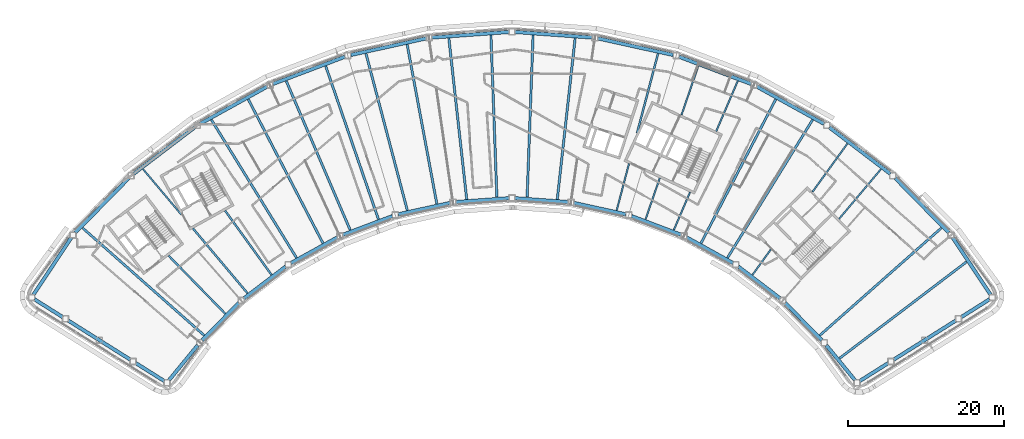
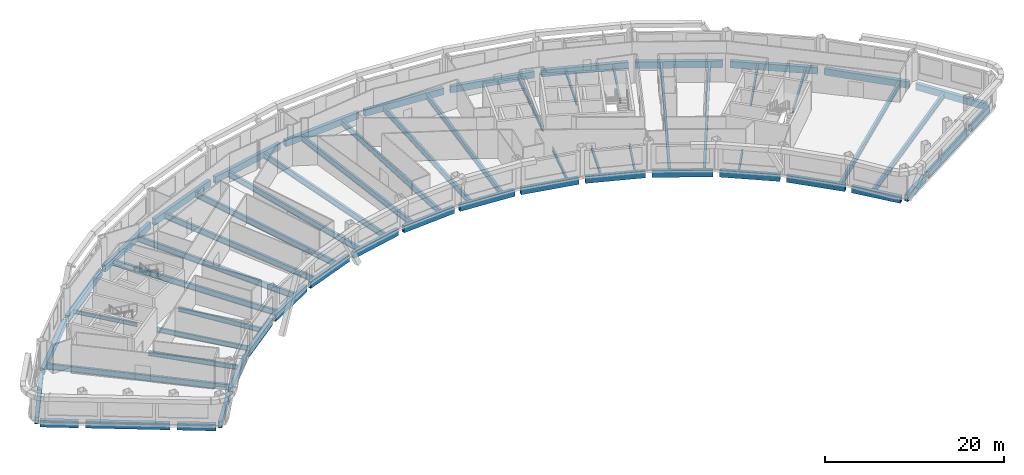
# One storey, part 3 of 16: 62 beams.
"""IFC4 building model written with IfcOpenShell, lengths in metres."""

from ifc_helpers import new_model, si_unit, direction, frame, origin, origin_2d, place, context, subcontext, project, spatial, hollow_rectangle, i_section, extrude, material, material_profile, profile_set, type_object, element, save


model = new_model("IFC4")

# Units and contexts
model_context = context("Model", 3, precision=1e-05, world=origin(), true_north=direction((0.0, 1.0)))
body_context = subcontext(model_context, "Body", "Model", "MODEL_VIEW")
ifc_project = project(units=[si_unit("LENGTHUNIT", "METRE"), si_unit("AREAUNIT", "SQUARE_METRE"), si_unit("VOLUMEUNIT", "CUBIC_METRE"), si_unit("PLANEANGLEUNIT", "RADIAN"), si_unit("MASSUNIT", "GRAM", prefix="KILO")], contexts=[model_context])

# Site, building, storey
site_placement = place(None, origin())
site = spatial("IfcSite", under=ifc_project, at=site_placement, CompositionType="ELEMENT")
building_placement = place(site_placement, origin())
building = spatial("IfcBuilding", under=site, at=building_placement, Name="Tuul Gate Civic Tower", CompositionType="ELEMENT")
storey_placement = place(building_placement, frame((0.0, 0.0, 261.0)))
storey = spatial("IfcBuildingStorey", under=building, at=storey_placement, Name="Level 59", CompositionType="ELEMENT", Elevation=261.0)

# Beams
ifc_material_1 = material(Name="Steel S355", Category="steel")
ifc_material_profile_1 = material_profile(ifc_material_1, i_section(OverallWidth=0.199951171875, OverallDepth=0.5, WebThickness=0.010009765625, FlangeThickness=0.01611328125, at=origin_2d()), Name="PG500x200x10x16")
ifc_profile_set_1 = profile_set([ifc_material_profile_1], Name="Steel S355")
beam_type_1 = type_object("IfcBeamType", Name="STR-FLOOR BEAM-PG500x200x10x16", PredefinedType="BEAM", material=ifc_profile_set_1)
beam_1_placement = place(storey_placement, frame((53.012939453125, -10.570068359375, -0.550048828125), z_axis=(0.644124963716, 0.764920277622, 0.0), x_axis=(-0.764920277622, 0.644124963716, 0.0)))
element("IfcBeam", 1, at=beam_1_placement, inside=storey, type_object=beam_type_1, Name="Floor beam", PredefinedType="BEAM", context=body_context, shape_type="SweptSolid", body=[
    extrude(i_section(OverallWidth=0.199951171875, OverallDepth=0.5, WebThickness=0.010009765625, FlangeThickness=0.01611328125, at=origin_2d()), origin(), (0.0, 0.0, 1.0), 8.367431640625),
])
beam_2_placement = place(storey_placement, frame((41.900390625, -17.74755859375, -0.550048828125), z_axis=(0.58608498793, 0.810249583106, 0.0), x_axis=(-0.810249583106, 0.58608498793, 0.0)))
element("IfcBeam", 2, at=beam_2_placement, inside=storey, type_object=beam_type_1, Name="Floor beam", PredefinedType="BEAM", context=body_context, shape_type="SweptSolid", body=[
    extrude(i_section(OverallWidth=0.199951171875, OverallDepth=0.5, WebThickness=0.010009765625, FlangeThickness=0.01611328125, at=origin_2d()), origin(), (0.0, 0.0, 1.0), 4.017822265625),
])
beam_3_placement = place(storey_placement, frame((49.606201171875, -7.094482421875, -0.550048828125), z_axis=(0.586082829809, 0.810251144154, 0.0), x_axis=(-0.810251144154, 0.586082829809, 0.0)))
element("IfcBeam", 3, at=beam_3_placement, inside=storey, type_object=beam_type_1, Name="Floor beam", PredefinedType="BEAM", context=body_context, shape_type="SweptSolid", body=[
    extrude(i_section(OverallWidth=0.199951171875, OverallDepth=0.5, WebThickness=0.010009765625, FlangeThickness=0.01611328125, at=origin_2d()), origin(), (0.0, 0.0, 1.0), 7.658447265625),
])
beam_4_placement = place(storey_placement, frame((31.8076171875, -11.986328125, -0.550048828125), z_axis=(0.394180828633, 0.919032901663, 0.0), x_axis=(-0.919032901663, 0.394180828633, 0.0)))
element("IfcBeam", 4, at=beam_4_placement, inside=storey, type_object=beam_type_1, Name="Floor beam", PredefinedType="BEAM", context=body_context, shape_type="SweptSolid", body=[
    extrude(i_section(OverallWidth=0.199951171875, OverallDepth=0.5, WebThickness=0.010009765625, FlangeThickness=0.01611328125, at=origin_2d()), origin(), (0.0, 0.0, 1.0), 5.294921875),
])
beam_5_placement = place(storey_placement, frame((37.247314453125, 0.695556640625, -0.550048828125), z_axis=(0.394187897698, 0.91902986965, 0.0), x_axis=(-0.91902986965, 0.394187897698, 0.0)))
element("IfcBeam", 5, at=beam_5_placement, inside=storey, type_object=beam_type_1, Name="Floor beam", PredefinedType="BEAM", context=body_context, shape_type="SweptSolid", body=[
    extrude(i_section(OverallWidth=0.199951171875, OverallDepth=0.5, WebThickness=0.010009765625, FlangeThickness=0.01611328125, at=origin_2d()), origin(), (0.0, 0.0, 1.0), 7.020263671875),
])
beam_6_placement = place(storey_placement, frame((28.17724609375, -10.613525390625, -0.550048828125), z_axis=(0.32546385433, 0.945554482579, 0.0), x_axis=(-0.945554482579, 0.32546385433, 0.0)))
element("IfcBeam", 6, at=beam_6_placement, inside=storey, type_object=beam_type_1, Name="Floor beam", PredefinedType="BEAM", context=body_context, shape_type="SweptSolid", body=[
    extrude(i_section(OverallWidth=0.199951171875, OverallDepth=0.5, WebThickness=0.010009765625, FlangeThickness=0.01611328125, at=origin_2d()), origin(), (0.0, 0.0, 1.0), 5.61328125),
])
beam_7_placement = place(storey_placement, frame((32.7861328125, 2.775634765625, -0.550048828125), z_axis=(0.325498409491, 0.94554258784, 0.0), x_axis=(-0.94554258784, 0.325498409491, 0.0)))
element("IfcBeam", 7, at=beam_7_placement, inside=storey, type_object=beam_type_1, Name="Floor beam", PredefinedType="BEAM", context=body_context, shape_type="SweptSolid", body=[
    extrude(i_section(OverallWidth=0.199951171875, OverallDepth=0.5, WebThickness=0.010009765625, FlangeThickness=0.01611328125, at=origin_2d()), origin(), (0.0, 0.0, 1.0), 6.649169921875),
])
beam_8_placement = place(storey_placement, frame((24.469482421875, -9.467041015625, -0.550048828125), z_axis=(0.254996491749, 0.966941978195, 0.0), x_axis=(-0.966941978195, 0.254996491749, 0.0)))
element("IfcBeam", 8, at=beam_8_placement, inside=storey, type_object=beam_type_1, Name="Floor beam", PredefinedType="BEAM", context=body_context, shape_type="SweptSolid", body=[
    extrude(i_section(OverallWidth=0.199951171875, OverallDepth=0.5, WebThickness=0.010009765625, FlangeThickness=0.01611328125, at=origin_2d()), origin(), (0.0, 0.0, 1.0), 6.208984375),
])
beam_9_placement = place(storey_placement, frame((-31.43212890625, -9.998779296875, -0.550048828125), z_axis=(-0.644120948452, 0.764923658782, 0.0), x_axis=(-0.764923658782, -0.644120948452, 0.0)))
element("IfcBeam", 9, at=beam_9_placement, inside=storey, type_object=beam_type_1, Name="Floor beam", PredefinedType="BEAM", context=body_context, shape_type="SweptSolid", body=[
    extrude(i_section(OverallWidth=0.199951171875, OverallDepth=0.5, WebThickness=0.010009765625, FlangeThickness=0.01611328125, at=origin_2d()), origin(), (0.0, 0.0, 1.0), 7.62109375),
])
ifc_material_2 = material(Name="Steel S355", Category="steel")
ifc_material_profile_2 = material_profile(ifc_material_2, i_section(OverallWidth=0.25, OverallDepth=0.64990234375, WebThickness=0.011962890625, FlangeThickness=0.02001953125, at=origin_2d()), Name="PG650x250x12x20")
ifc_profile_set_2 = profile_set([ifc_material_profile_2], Name="Steel S355")
beam_type_2 = type_object("IfcBeamType", Name="STR-FLOOR BEAM-PG650x250x12x20", PredefinedType="BEAM", material=ifc_profile_set_2)
beam_10_placement = place(storey_placement, frame((27.08447265625, 0.44873046875, -0.625), z_axis=(0.255007501185, 0.966939074782, 0.0), x_axis=(-0.966939074782, 0.255007501185, 0.0)))
element("IfcBeam", 10, at=beam_10_placement, inside=storey, type_object=beam_type_2, Name="Floor beam", PredefinedType="BEAM", context=body_context, shape_type="SweptSolid", body=[
    extrude(i_section(OverallWidth=0.25, OverallDepth=0.64990234375, WebThickness=0.011962890625, FlangeThickness=0.02001953125, at=origin_2d()), origin(), (0.0, 0.0, 1.0), 10.562744140625),
])
beam_11_placement = place(storey_placement, frame((-19.838623046875, -17.747314453125, -0.625), z_axis=(-0.586080278924, 0.810252989292, 0.0), x_axis=(-0.810252989292, -0.586080278924, 0.0)))
element("IfcBeam", 11, at=beam_11_placement, inside=storey, type_object=beam_type_2, Name="Floor beam", PredefinedType="BEAM", context=body_context, shape_type="SweptSolid", body=[
    extrude(i_section(OverallWidth=0.25, OverallDepth=0.64990234375, WebThickness=0.011962890625, FlangeThickness=0.02001953125, at=origin_2d()), origin(), (0.0, 0.0, 1.0), 10.18505859375),
])
beam_12_placement = place(storey_placement, frame((-22.927001953125, -20.0986328125, -0.625), z_axis=(-0.644130906332, 0.764915273418, 0.0), x_axis=(-0.764915273418, -0.644130906332, 0.0)))
element("IfcBeam", 12, at=beam_12_placement, inside=storey, type_object=beam_type_2, Name="Floor beam", PredefinedType="BEAM", context=body_context, shape_type="SweptSolid", body=[
    extrude(i_section(OverallWidth=0.25, OverallDepth=0.64990234375, WebThickness=0.011962890625, FlangeThickness=0.02001953125, at=origin_2d()), origin(), (0.0, 0.0, 1.0), 10.87451171875),
])
beam_13_placement = place(storey_placement, frame((-25.767333984375, -22.744140625, -0.625), z_axis=(-0.698680484376, 0.715433840933, 0.0), x_axis=(-0.715433840933, -0.698680484376, 0.0)))
element("IfcBeam", 13, at=beam_13_placement, inside=storey, type_object=beam_type_2, Name="Floor beam", PredefinedType="BEAM", context=body_context, shape_type="SweptSolid", body=[
    extrude(i_section(OverallWidth=0.25, OverallDepth=0.64990234375, WebThickness=0.011962890625, FlangeThickness=0.02001953125, at=origin_2d()), origin(), (0.0, 0.0, 1.0), 10.43408203125),
])
ifc_material_3 = material(Name="Steel S355", Category="steel")
ifc_material_profile_3 = material_profile(ifc_material_3, i_section(OverallWidth=0.300048828125, OverallDepth=0.800048828125, WebThickness=0.013916015625, FlangeThickness=0.02490234375, at=origin_2d()), Name="PG800x300x14x25")
ifc_profile_set_3 = profile_set([ifc_material_profile_3], Name="Steel S355")
beam_type_3 = type_object("IfcBeamType", Name="STR-FLOOR BEAM-PG800x300x14x25", PredefinedType="BEAM", material=ifc_profile_set_3)
beam_14_placement = place(storey_placement, frame((53.0859375, -28.4609375, -0.699951171875), z_axis=(0.796147939121, 0.605102023657, 0.0), x_axis=(-0.605102023657, 0.796147939121, 0.0)))
element("IfcBeam", 14, at=beam_14_placement, inside=storey, type_object=beam_type_3, Name="Floor beam", PredefinedType="BEAM", context=body_context, shape_type="SweptSolid", body=[
    extrude(i_section(OverallWidth=0.300048828125, OverallDepth=0.800048828125, WebThickness=0.013916015625, FlangeThickness=0.02490234375, at=origin_2d()), origin(), (0.0, 0.0, 1.0), 20.4619140625),
])
beam_15_placement = place(storey_placement, frame((50.546630859375, -25.51611328125, -0.699951171875), z_axis=(0.749454599758, 0.662055740026, 0.0), x_axis=(-0.662055740026, 0.749454599758, 0.0)))
element("IfcBeam", 15, at=beam_15_placement, inside=storey, type_object=beam_type_3, Name="Floor beam", PredefinedType="BEAM", context=body_context, shape_type="SweptSolid", body=[
    extrude(i_section(OverallWidth=0.300048828125, OverallDepth=0.800048828125, WebThickness=0.013916015625, FlangeThickness=0.02490234375, at=origin_2d()), origin(), (0.0, 0.0, 1.0), 20.82763671875),
])
beam_16_placement = place(storey_placement, frame((38.69677734375, -15.556396484375, -0.699951171875), z_axis=(0.524851468826, 0.851193829672, 0.0), x_axis=(-0.851193829672, 0.524851468826, 0.0)))
element("IfcBeam", 16, at=beam_16_placement, inside=storey, type_object=beam_type_3, Name="Floor beam", PredefinedType="BEAM", context=body_context, shape_type="SweptSolid", body=[
    extrude(i_section(OverallWidth=0.300048828125, OverallDepth=0.800048828125, WebThickness=0.013916015625, FlangeThickness=0.02490234375, at=origin_2d()), origin(), (0.0, 0.0, 1.0), 20.822998046875),
])
beam_17_placement = place(storey_placement, frame((35.30224609375, -13.67431640625, -0.699951171875), z_axis=(0.460781503105, 0.887513609133, 0.0), x_axis=(-0.887513609133, 0.460781503105, 0.0)))
element("IfcBeam", 17, at=beam_17_placement, inside=storey, type_object=beam_type_3, Name="Floor beam", PredefinedType="BEAM", context=body_context, shape_type="SweptSolid", body=[
    extrude(i_section(OverallWidth=0.300048828125, OverallDepth=0.800048828125, WebThickness=0.013916015625, FlangeThickness=0.02490234375, at=origin_2d()), origin(), (0.0, 0.0, 1.0), 20.807861328125),
])
beam_18_placement = place(storey_placement, frame((16.84228515625, -8.052001953125, -0.699951171875), z_axis=(0.110274472783, 0.993901172478, 0.0), x_axis=(-0.993901172478, 0.110274472783, 0.0)))
element("IfcBeam", 18, at=beam_18_placement, inside=storey, type_object=beam_type_3, Name="Floor beam", PredefinedType="BEAM", context=body_context, shape_type="SweptSolid", body=[
    extrude(i_section(OverallWidth=0.300048828125, OverallDepth=0.800048828125, WebThickness=0.013916015625, FlangeThickness=0.02490234375, at=origin_2d()), origin(), (0.0, 0.0, 1.0), 20.8154296875),
])
for number, where, z_axis, x_axis, name in (
    (19, (12.971435546875, -7.771728515625, -0.699951171875), (0.036820764609, 0.999321885727, 0.0), (-0.999321885727, 0.036820764609, 0.0), "Floor beam"),
    (20, (9.090576171875, -7.771728515625, -0.699951171875), (-0.036832478792, 0.999321454041, 0.0), (-0.999321454041, -0.036832478792, 0.0), "Floor beam"),
):
    element("IfcBeam", number, at=place(storey_placement, frame(where, z_axis=z_axis, x_axis=x_axis)), inside=storey, type_object=beam_type_3, Name=name, PredefinedType="BEAM", context=body_context, shape_type="SweptSolid", body=[
        extrude(i_section(OverallWidth=0.300048828125, OverallDepth=0.800048828125, WebThickness=0.013916015625, FlangeThickness=0.02490234375, at=origin_2d()), origin(), (0.0, 0.0, 1.0), 20.813232421875),
    ])
beam_19_placement = place(storey_placement, frame((5.2197265625, -8.052001953125, -0.699951171875), z_axis=(-0.110286058964, 0.993899886909, 0.0), x_axis=(-0.993899886909, -0.110286058964, 0.0)))
element("IfcBeam", 21, at=beam_19_placement, inside=storey, type_object=beam_type_3, Name="Floor beam", PredefinedType="BEAM", context=body_context, shape_type="SweptSolid", body=[
    extrude(i_section(OverallWidth=0.300048828125, OverallDepth=0.800048828125, WebThickness=0.013916015625, FlangeThickness=0.02490234375, at=origin_2d()), origin(), (0.0, 0.0, 1.0), 20.8154296875),
])
beam_20_placement = place(storey_placement, frame((1.38232421875, -8.631591796875, -0.699951171875), z_axis=(-0.1831360046, 0.983087587054, 0.0), x_axis=(-0.983087587054, -0.1831360046, 0.0)))
element("IfcBeam", 22, at=beam_20_placement, inside=storey, type_object=beam_type_3, Name="Floor beam", PredefinedType="BEAM", context=body_context, shape_type="SweptSolid", body=[
    extrude(i_section(OverallWidth=0.300048828125, OverallDepth=0.800048828125, WebThickness=0.013916015625, FlangeThickness=0.02490234375, at=origin_2d()), origin(), (0.0, 0.0, 1.0), 20.811279296875),
])
beam_21_placement = place(storey_placement, frame((-2.40771484375, -9.467041015625, -0.699951171875), z_axis=(-0.255004720301, 0.96693980817, 0.0), x_axis=(-0.96693980817, -0.255004720301, 0.0)))
element("IfcBeam", 23, at=beam_21_placement, inside=storey, type_object=beam_type_3, Name="Floor beam", PredefinedType="BEAM", context=body_context, shape_type="SweptSolid", body=[
    extrude(i_section(OverallWidth=0.300048828125, OverallDepth=0.800048828125, WebThickness=0.013916015625, FlangeThickness=0.02490234375, at=origin_2d()), origin(), (0.0, 0.0, 1.0), 20.817626953125),
])
beam_22_placement = place(storey_placement, frame((-6.115478515625, -10.613525390625, -0.699951171875), z_axis=(-0.325476485131, 0.945550134909, 0.0), x_axis=(-0.945550134909, -0.325476485131, 0.0)))
element("IfcBeam", 24, at=beam_22_placement, inside=storey, type_object=beam_type_3, Name="Floor beam", PredefinedType="BEAM", context=body_context, shape_type="SweptSolid", body=[
    extrude(i_section(OverallWidth=0.300048828125, OverallDepth=0.800048828125, WebThickness=0.013916015625, FlangeThickness=0.02490234375, at=origin_2d()), origin(), (0.0, 0.0, 1.0), 20.809326171875),
])
beam_23_placement = place(storey_placement, frame((-9.74560546875, -11.986328125, -0.699951171875), z_axis=(-0.394206576273, 0.919021857859, 0.0), x_axis=(-0.919021857859, -0.394206576273, 0.0)))
element("IfcBeam", 25, at=beam_23_placement, inside=storey, type_object=beam_type_3, Name="Floor beam", PredefinedType="BEAM", context=body_context, shape_type="SweptSolid", body=[
    extrude(i_section(OverallWidth=0.300048828125, OverallDepth=0.800048828125, WebThickness=0.013916015625, FlangeThickness=0.02490234375, at=origin_2d()), origin(), (0.0, 0.0, 1.0), 20.81982421875),
])
beam_24_placement = place(storey_placement, frame((-13.240478515625, -13.674072265625, -0.699951171875), z_axis=(-0.460777059353, 0.887515916237, 0.0), x_axis=(-0.887515916237, -0.460777059353, 0.0)))
element("IfcBeam", 26, at=beam_24_placement, inside=storey, type_object=beam_type_3, Name="Floor beam", PredefinedType="BEAM", context=body_context, shape_type="SweptSolid", body=[
    extrude(i_section(OverallWidth=0.300048828125, OverallDepth=0.800048828125, WebThickness=0.013916015625, FlangeThickness=0.02490234375, at=origin_2d()), origin(), (0.0, 0.0, 1.0), 20.8076171875),
])
beam_25_placement = place(storey_placement, frame((-16.63525390625, -15.55615234375, -0.699951171875), z_axis=(-0.524839716817, 0.851201075922, 0.0), x_axis=(-0.851201075922, -0.524839716817, 0.0)))
element("IfcBeam", 27, at=beam_25_placement, inside=storey, type_object=beam_type_3, Name="Floor beam", PredefinedType="BEAM", context=body_context, shape_type="SweptSolid", body=[
    extrude(i_section(OverallWidth=0.300048828125, OverallDepth=0.800048828125, WebThickness=0.013916015625, FlangeThickness=0.02490234375, at=origin_2d()), origin(), (0.0, 0.0, 1.0), 20.822509765625),
])
beam_26_placement = place(storey_placement, frame((-28.48486328125, -25.51611328125, -0.699951171875), z_axis=(-0.749449461751, 0.662061556263, 0.0), x_axis=(-0.662061556263, -0.749449461751, 0.0)))
element("IfcBeam", 28, at=beam_26_placement, inside=storey, type_object=beam_type_3, Name="Floor beam", PredefinedType="BEAM", context=body_context, shape_type="SweptSolid", body=[
    extrude(i_section(OverallWidth=0.300048828125, OverallDepth=0.800048828125, WebThickness=0.013916015625, FlangeThickness=0.02490234375, at=origin_2d()), origin(), (0.0, 0.0, 1.0), 20.827392578125),
])
ifc_material_4 = material(Name="Steel S355", Category="steel")
ifc_material_profile_4 = material_profile(ifc_material_4, hollow_rectangle(XDim=0.449951171875, YDim=0.89990234375, WallThickness=0.02490234375, at=origin_2d()), Name="BOX900x450x25")
ifc_profile_set_4 = profile_set([ifc_material_profile_4], Name="Steel S355")
beam_type_4 = type_object("IfcBeamType", Name="STR-SPANDREL BEAM-BOX900x450x25", PredefinedType="BEAM", material=ifc_profile_set_4)
beam_27_placement = place(storey_placement, frame((72.4814453125, -20.3203125, -0.75), z_axis=(-0.551644580762, 0.834079286708, 0.0), x_axis=(-0.834079286708, -0.551644580762, 0.0)))
element("IfcBeam", 29, at=beam_27_placement, inside=storey, type_object=beam_type_4, Name="Spandrel beam", PredefinedType="BEAM", context=body_context, shape_type="SweptSolid", body=[
    extrude(hollow_rectangle(XDim=0.449951171875, YDim=0.89990234375, WallThickness=0.02490234375, at=origin_2d()), origin(), (0.0, 0.0, 1.0), 8.805908203125),
])
beam_28_placement = place(storey_placement, frame((67.123046875, -12.3564453125, -0.75), z_axis=(-0.700052630296, 0.714091251042, 0.0), x_axis=(-0.714091251042, -0.700052630296, 0.0)))
element("IfcBeam", 30, at=beam_28_placement, inside=storey, type_object=beam_type_4, Name="Spandrel beam", PredefinedType="BEAM", context=body_context, shape_type="SweptSolid", body=[
    extrude(hollow_rectangle(XDim=0.449951171875, YDim=0.89990234375, WallThickness=0.02490234375, at=origin_2d()), origin(), (0.0, 0.0, 1.0), 9.8779296875),
])
beam_29_placement = place(storey_placement, frame((59.60986328125, -4.774658203125, -0.75), z_axis=(-0.795586019059, 0.605840644294, 0.0), x_axis=(-0.605840644294, -0.795586019059, 0.0)))
element("IfcBeam", 31, at=beam_29_placement, inside=storey, type_object=beam_type_4, Name="Spandrel beam", PredefinedType="BEAM", context=body_context, shape_type="SweptSolid", body=[
    extrude(hollow_rectangle(XDim=0.449951171875, YDim=0.89990234375, WallThickness=0.02490234375, at=origin_2d()), origin(), (0.0, 0.0, 1.0), 9.877685546875),
])
beam_30_placement = place(storey_placement, frame((51.083251953125, 1.64599609375, -0.75), z_axis=(-0.874631416408, 0.484788495565, 0.0), x_axis=(-0.484788495565, -0.874631416408, 0.0)))
element("IfcBeam", 32, at=beam_30_placement, inside=storey, type_object=beam_type_4, Name="Spandrel beam", PredefinedType="BEAM", context=body_context, shape_type="SweptSolid", body=[
    extrude(hollow_rectangle(XDim=0.449951171875, YDim=0.89990234375, WallThickness=0.02490234375, at=origin_2d()), origin(), (0.0, 0.0, 1.0), 9.876708984375),
])
beam_31_placement = place(storey_placement, frame((41.720947265625, 6.76953125, -0.75), z_axis=(-0.935348375613, 0.353727884451, 0.0), x_axis=(-0.353727884451, -0.935348375613, 0.0)))
element("IfcBeam", 33, at=beam_31_placement, inside=storey, type_object=beam_type_4, Name="Spandrel beam", PredefinedType="BEAM", context=body_context, shape_type="SweptSolid", body=[
    extrude(hollow_rectangle(XDim=0.449951171875, YDim=0.89990234375, WallThickness=0.02490234375, at=origin_2d()), origin(), (0.0, 0.0, 1.0), 9.87744140625),
])
beam_32_placement = place(storey_placement, frame((31.71728515625, 10.490966796875, -0.75), z_axis=(-0.976565880984, 0.215218679716, 0.0), x_axis=(-0.215218679716, -0.976565880984, 0.0)))
element("IfcBeam", 34, at=beam_32_placement, inside=storey, type_object=beam_type_4, Name="Spandrel beam", PredefinedType="BEAM", context=body_context, shape_type="SweptSolid", body=[
    extrude(hollow_rectangle(XDim=0.449951171875, YDim=0.89990234375, WallThickness=0.02490234375, at=origin_2d()), origin(), (0.0, 0.0, 1.0), 9.878173828125),
])
beam_33_placement = place(storey_placement, frame((21.281005859375, 12.73193359375, -0.75), z_axis=(-0.997389983978, 0.072202630563, 0.0), x_axis=(-0.072202630563, -0.997389983978, 0.0)))
element("IfcBeam", 35, at=beam_33_placement, inside=storey, type_object=beam_type_4, Name="Spandrel beam", PredefinedType="BEAM", context=body_context, shape_type="SweptSolid", body=[
    extrude(hollow_rectangle(XDim=0.449951171875, YDim=0.89990234375, WallThickness=0.02490234375, at=origin_2d()), origin(), (0.0, 0.0, 1.0), 9.876953125),
])
beam_34_placement = place(storey_placement, frame((10.632080078125, 13.445068359375, -0.75), z_axis=(-0.997390499353, -0.072195510943, 0.0), x_axis=(0.072195510943, -0.997390499353, 0.0)))
element("IfcBeam", 36, at=beam_34_placement, inside=storey, type_object=beam_type_4, Name="Spandrel beam", PredefinedType="BEAM", context=body_context, shape_type="SweptSolid", body=[
    extrude(hollow_rectangle(XDim=0.449951171875, YDim=0.89990234375, WallThickness=0.02490234375, at=origin_2d()), origin(), (0.0, 0.0, 1.0), 9.8779296875),
])
beam_35_placement = place(storey_placement, frame((-0.009521484375, 12.616943359375, -0.75), z_axis=(-0.97656649642, -0.215215887123, 0.0), x_axis=(0.215215887123, -0.97656649642, 0.0)))
element("IfcBeam", 37, at=beam_35_placement, inside=storey, type_object=beam_type_4, Name="Spandrel beam", PredefinedType="BEAM", context=body_context, shape_type="SweptSolid", body=[
    extrude(hollow_rectangle(XDim=0.449951171875, YDim=0.89990234375, WallThickness=0.02490234375, at=origin_2d()), origin(), (0.0, 0.0, 1.0), 9.877197265625),
])
beam_36_placement = place(storey_placement, frame((-10.420166015625, 10.263427734375, -0.75), z_axis=(-0.935348375613, -0.353727884451, 0.0), x_axis=(0.353727884451, -0.935348375613, 0.0)))
element("IfcBeam", 38, at=beam_36_placement, inside=storey, type_object=beam_type_4, Name="Spandrel beam", PredefinedType="BEAM", context=body_context, shape_type="SweptSolid", body=[
    extrude(hollow_rectangle(XDim=0.449951171875, YDim=0.89990234375, WallThickness=0.02490234375, at=origin_2d()), origin(), (0.0, 0.0, 1.0), 9.87744140625),
])
beam_37_placement = place(storey_placement, frame((-20.3828125, 6.43408203125, -0.75), z_axis=(-0.874631416408, -0.484788495565, 0.0), x_axis=(0.484788495565, -0.874631416408, 0.0)))
element("IfcBeam", 39, at=beam_37_placement, inside=storey, type_object=beam_type_4, Name="Spandrel beam", PredefinedType="BEAM", context=body_context, shape_type="SweptSolid", body=[
    extrude(hollow_rectangle(XDim=0.449951171875, YDim=0.89990234375, WallThickness=0.02490234375, at=origin_2d()), origin(), (0.0, 0.0, 1.0), 9.876708984375),
])
beam_38_placement = place(storey_placement, frame((-29.689208984375, 1.209716796875, -0.75), z_axis=(-0.795622302229, -0.605792994509, 0.0), x_axis=(0.605792994509, -0.795622302229, 0.0)))
element("IfcBeam", 40, at=beam_38_placement, inside=storey, type_object=beam_type_4, Name="Spandrel beam", PredefinedType="BEAM", context=body_context, shape_type="SweptSolid", body=[
    extrude(hollow_rectangle(XDim=0.449951171875, YDim=0.89990234375, WallThickness=0.02490234375, at=origin_2d()), origin(), (0.0, 0.0, 1.0), 9.878662109375),
])
beam_39_placement = place(storey_placement, frame((-38.14697265625, -5.302734375, -0.75), z_axis=(-0.700002211949, -0.714140674704, 0.0), x_axis=(0.714140674704, -0.700002211949, 0.0)))
element("IfcBeam", 41, at=beam_39_placement, inside=storey, type_object=beam_type_4, Name="Spandrel beam", PredefinedType="BEAM", context=body_context, shape_type="SweptSolid", body=[
    extrude(hollow_rectangle(XDim=0.449951171875, YDim=0.89990234375, WallThickness=0.02490234375, at=origin_2d()), origin(), (0.0, 0.0, 1.0), 9.877197265625),
])
beam_40_placement = place(storey_placement, frame((-45.561767578125, -12.9755859375, -0.75), z_axis=(-0.551644580762, -0.834079286708, 0.0), x_axis=(0.834079286708, -0.551644580762, 0.0)))
element("IfcBeam", 42, at=beam_40_placement, inside=storey, type_object=beam_type_4, Name="Spandrel beam", PredefinedType="BEAM", context=body_context, shape_type="SweptSolid", body=[
    extrude(hollow_rectangle(XDim=0.449951171875, YDim=0.89990234375, WallThickness=0.02490234375, at=origin_2d()), origin(), (0.0, 0.0, 1.0), 8.805908203125),
])
beam_41_placement = place(storey_placement, frame((-50.301513671875, -20.8671875, -0.75), z_axis=(0.84613117079, -0.532974710298, 0.0), x_axis=(0.532974710298, 0.84613117079, 0.0)))
element("IfcBeam", 43, at=beam_41_placement, inside=storey, type_object=beam_type_4, Name="Spandrel beam", PredefinedType="BEAM", context=body_context, shape_type="SweptSolid", body=[
    extrude(hollow_rectangle(XDim=0.449951171875, YDim=0.89990234375, WallThickness=0.02490234375, at=origin_2d()), origin(), (0.0, 0.0, 1.0), 4.33154296875),
])
beam_42_placement = place(storey_placement, frame((-45.95947265625, -23.60205078125, -0.75), z_axis=(0.84620354352, -0.532859796695, 0.0), x_axis=(0.532859796695, 0.84620354352, 0.0)))
element("IfcBeam", 44, at=beam_42_placement, inside=storey, type_object=beam_type_4, Name="Spandrel beam", PredefinedType="BEAM", context=body_context, shape_type="SweptSolid", body=[
    extrude(hollow_rectangle(XDim=0.449951171875, YDim=0.89990234375, WallThickness=0.02490234375, at=origin_2d()), origin(), (0.0, 0.0, 1.0), 9.463623046875),
])
beam_43_placement = place(storey_placement, frame((-37.2744140625, -29.071044921875, -0.75), z_axis=(0.846271424817, -0.532751983138, 0.0), x_axis=(0.532751983138, 0.846271424817, 0.0)))
element("IfcBeam", 45, at=beam_43_placement, inside=storey, type_object=beam_type_4, Name="Spandrel beam", PredefinedType="BEAM", context=body_context, shape_type="SweptSolid", body=[
    extrude(hollow_rectangle(XDim=0.449951171875, YDim=0.89990234375, WallThickness=0.02490234375, at=origin_2d()), origin(), (0.0, 0.0, 1.0), 4.33203125),
])
beam_44_placement = place(storey_placement, frame((-33.016357421875, -31.28271484375, -0.75), z_axis=(0.63442976414, 0.772980513579, 0.0), x_axis=(-0.772980513579, 0.63442976414, 0.0)))
element("IfcBeam", 46, at=beam_44_placement, inside=storey, type_object=beam_type_4, Name="Spandrel beam", PredefinedType="BEAM", context=body_context, shape_type="SweptSolid", body=[
    extrude(hollow_rectangle(XDim=0.449951171875, YDim=0.89990234375, WallThickness=0.02490234375, at=origin_2d()), origin(), (0.0, 0.0, 1.0), 5.85205078125),
])
beam_45_placement = place(storey_placement, frame((-28.77001953125, -26.164306640625, -0.75), z_axis=(0.700025402034, 0.714117942995, 0.0), x_axis=(-0.714117942995, 0.700025402034, 0.0)))
element("IfcBeam", 47, at=beam_45_placement, inside=storey, type_object=beam_type_4, Name="Spandrel beam", PredefinedType="BEAM", context=body_context, shape_type="SweptSolid", body=[
    extrude(hollow_rectangle(XDim=0.449951171875, YDim=0.89990234375, WallThickness=0.02490234375, at=origin_2d()), origin(), (0.0, 0.0, 1.0), 6.791015625),
])
beam_46_placement = place(storey_placement, frame((-23.417724609375, -20.78662109375, -0.75), z_axis=(0.795626424775, 0.605787580098, 0.0), x_axis=(-0.605787580098, 0.795626424775, 0.0)))
element("IfcBeam", 48, at=beam_46_placement, inside=storey, type_object=beam_type_4, Name="Spandrel beam", PredefinedType="BEAM", context=body_context, shape_type="SweptSolid", body=[
    extrude(hollow_rectangle(XDim=0.449951171875, YDim=0.89990234375, WallThickness=0.02490234375, at=origin_2d()), origin(), (0.0, 0.0, 1.0), 6.79150390625),
])
beam_47_placement = place(storey_placement, frame((-17.34619140625, -16.236083984375, -0.75), z_axis=(0.87459604926, 0.484852297734, 0.0), x_axis=(-0.484852297734, 0.87459604926, 0.0)))
element("IfcBeam", 49, at=beam_47_placement, inside=storey, type_object=beam_type_4, Name="Spandrel beam", PredefinedType="BEAM", context=body_context, shape_type="SweptSolid", body=[
    extrude(hollow_rectangle(XDim=0.449951171875, YDim=0.89990234375, WallThickness=0.02490234375, at=origin_2d()), origin(), (0.0, 0.0, 1.0), 6.792236328125),
])
beam_48_placement = place(storey_placement, frame((-10.681884765625, -12.607421875, -0.75), z_axis=(0.935378837958, 0.353647323617, 0.0), x_axis=(-0.353647323617, 0.935378837958, 0.0)))
element("IfcBeam", 50, at=beam_48_placement, inside=storey, type_object=beam_type_4, Name="Spandrel beam", PredefinedType="BEAM", context=body_context, shape_type="SweptSolid", body=[
    extrude(hollow_rectangle(XDim=0.449951171875, YDim=0.89990234375, WallThickness=0.02490234375, at=origin_2d()), origin(), (0.0, 0.0, 1.0), 6.791748046875),
])
for number, where, z_axis, x_axis, name in (
    (51, (-3.564453125, -9.97802734375, -0.75), (0.976561119915, 0.215240282172, 0.0), (-0.215240282172, 0.976561119915, 0.0), "Spandrel beam"),
    (52, (3.85791015625, -8.401123046875, -0.75), (0.997391663711, 0.072179423387, 0.0), (-0.072179423387, 0.997391663711, 0.0), "Spandrel beam"),
    (53, (11.429931640625, -7.910888671875, -0.75), (0.997391663711, -0.072179423387, 0.0), (0.072179423387, 0.997391663711, 0.0), "Spandrel beam"),
    (54, (18.99365234375, -8.51611328125, -0.75), (0.976561119915, -0.215240282172, 0.0), (0.215240282172, 0.976561119915, 0.0), "Spandrel beam"),
):
    element("IfcBeam", number, at=place(storey_placement, frame(where, z_axis=z_axis, x_axis=x_axis)), inside=storey, type_object=beam_type_4, Name=name, PredefinedType="BEAM", context=body_context, shape_type="SweptSolid", body=[
        extrude(hollow_rectangle(XDim=0.449951171875, YDim=0.89990234375, WallThickness=0.02490234375, at=origin_2d()), origin(), (0.0, 0.0, 1.0), 6.7919921875),
    ])
beam_49_placement = place(storey_placement, frame((26.39111328125, -10.20556640625, -0.75), z_axis=(0.935378837958, -0.353647323617, 0.0), x_axis=(0.353647323617, 0.935378837958, 0.0)))
element("IfcBeam", 55, at=beam_49_placement, inside=storey, type_object=beam_type_4, Name="Spandrel beam", PredefinedType="BEAM", context=body_context, shape_type="SweptSolid", body=[
    extrude(hollow_rectangle(XDim=0.449951171875, YDim=0.89990234375, WallThickness=0.02490234375, at=origin_2d()), origin(), (0.0, 0.0, 1.0), 6.791748046875),
])
beam_50_placement = place(storey_placement, frame((33.4677734375, -12.94287109375, -0.75), z_axis=(0.874562243514, -0.484913272885, 0.0), x_axis=(0.484913272885, 0.874562243514, 0.0)))
element("IfcBeam", 56, at=beam_50_placement, inside=storey, type_object=beam_type_4, Name="Spandrel beam", PredefinedType="BEAM", context=body_context, shape_type="SweptSolid", body=[
    extrude(hollow_rectangle(XDim=0.449951171875, YDim=0.89990234375, WallThickness=0.02490234375, at=origin_2d()), origin(), (0.0, 0.0, 1.0), 6.791259765625),
])
beam_51_placement = place(storey_placement, frame((40.0751953125, -16.67236328125, -0.75), z_axis=(0.795679183599, -0.605718281701, 0.0), x_axis=(0.605718281701, 0.795679183599, 0.0)))
element("IfcBeam", 57, at=beam_51_placement, inside=storey, type_object=beam_type_4, Name="Spandrel beam", PredefinedType="BEAM", context=body_context, shape_type="SweptSolid", body=[
    extrude(hollow_rectangle(XDim=0.449951171875, YDim=0.89990234375, WallThickness=0.02490234375, at=origin_2d()), origin(), (0.0, 0.0, 1.0), 6.79248046875),
])
beam_52_placement = place(storey_placement, frame((46.078125, -21.314697265625, -0.75), z_axis=(0.700025402034, -0.714117942995, 0.0), x_axis=(0.714117942995, 0.700025402034, 0.0)))
element("IfcBeam", 58, at=beam_52_placement, inside=storey, type_object=beam_type_4, Name="Spandrel beam", PredefinedType="BEAM", context=body_context, shape_type="SweptSolid", body=[
    extrude(hollow_rectangle(XDim=0.449951171875, YDim=0.89990234375, WallThickness=0.02490234375, at=origin_2d()), origin(), (0.0, 0.0, 1.0), 6.791015625),
])
beam_53_placement = place(storey_placement, frame((51.36572265625, -26.75927734375, -0.75), z_axis=(0.634404835744, -0.773000973081, 0.0), x_axis=(0.773000973081, 0.634404835744, 0.0)))
element("IfcBeam", 59, at=beam_53_placement, inside=storey, type_object=beam_type_4, Name="Spandrel beam", PredefinedType="BEAM", context=body_context, shape_type="SweptSolid", body=[
    extrude(hollow_rectangle(XDim=0.449951171875, YDim=0.89990234375, WallThickness=0.02490234375, at=origin_2d()), origin(), (0.0, 0.0, 1.0), 5.851806640625),
])
beam_54_placement = place(storey_placement, frame((55.67041015625, -31.37890625, -0.75), z_axis=(0.846207423362, 0.532853635295, 0.0), x_axis=(-0.532853635295, 0.846207423362, 0.0)))
element("IfcBeam", 60, at=beam_54_placement, inside=storey, type_object=beam_type_4, Name="Spandrel beam", PredefinedType="BEAM", context=body_context, shape_type="SweptSolid", body=[
    extrude(hollow_rectangle(XDim=0.449951171875, YDim=0.89990234375, WallThickness=0.02490234375, at=origin_2d()), origin(), (0.0, 0.0, 1.0), 4.3310546875),
])
beam_55_placement = place(storey_placement, frame((60.012451171875, -28.644775390625, -0.75), z_axis=(0.84620354352, 0.532859796695, 0.0), x_axis=(-0.532859796695, 0.84620354352, 0.0)))
element("IfcBeam", 61, at=beam_55_placement, inside=storey, type_object=beam_type_4, Name="Spandrel beam", PredefinedType="BEAM", context=body_context, shape_type="SweptSolid", body=[
    extrude(hollow_rectangle(XDim=0.449951171875, YDim=0.89990234375, WallThickness=0.02490234375, at=origin_2d()), origin(), (0.0, 0.0, 1.0), 9.463623046875),
])
beam_56_placement = place(storey_placement, frame((68.697509765625, -23.17578125, -0.75), z_axis=(0.846195195567, 0.532873053362, 0.0), x_axis=(-0.532873053362, 0.846195195567, 0.0)))
element("IfcBeam", 62, at=beam_56_placement, inside=storey, type_object=beam_type_4, Name="Spandrel beam", PredefinedType="BEAM", context=body_context, shape_type="SweptSolid", body=[
    extrude(hollow_rectangle(XDim=0.449951171875, YDim=0.89990234375, WallThickness=0.02490234375, at=origin_2d()), origin(), (0.0, 0.0, 1.0), 4.332275390625),
])

save(model, "model.ifc")
